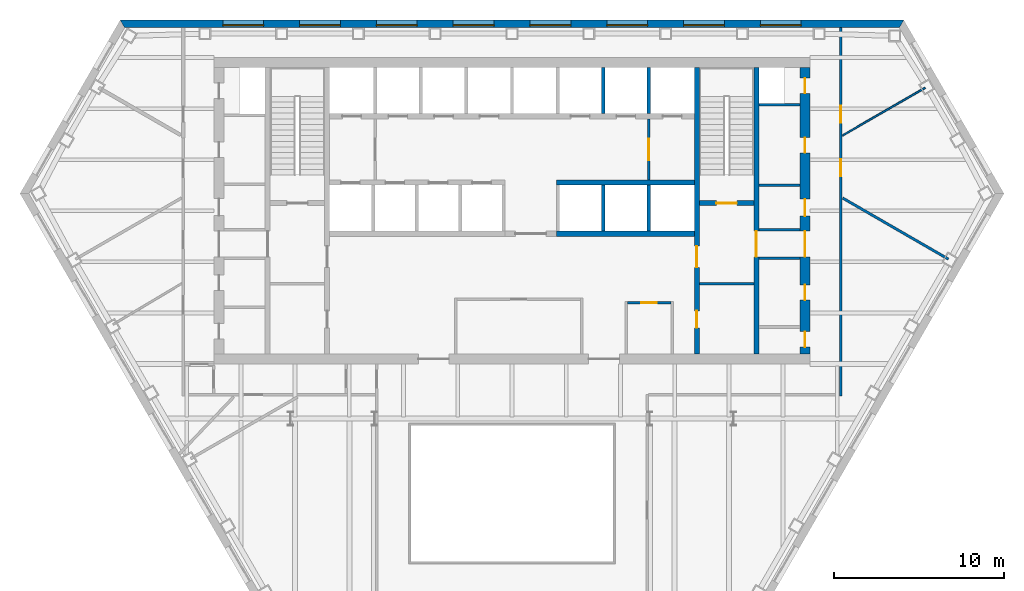
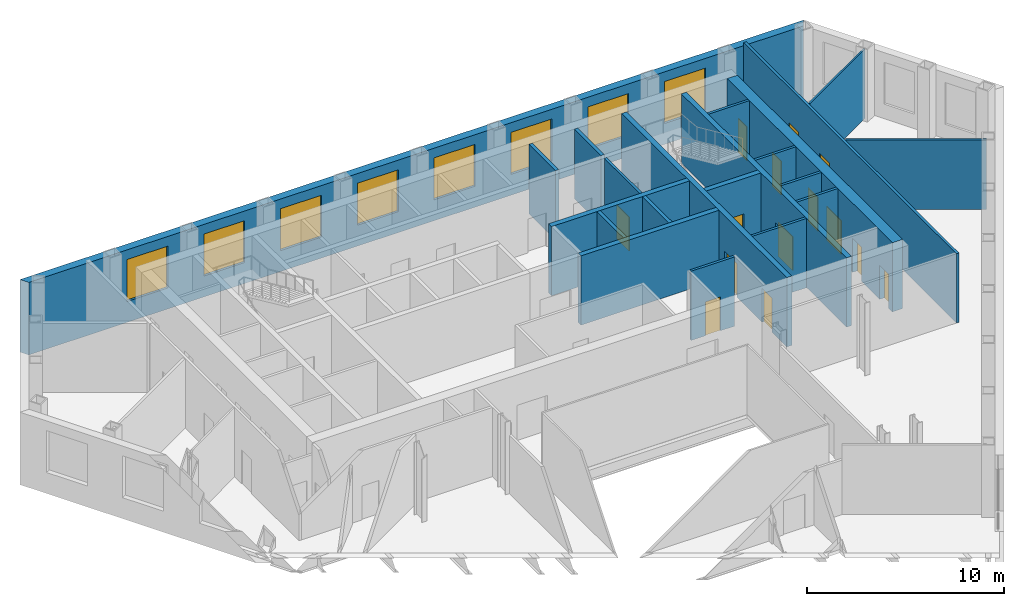
# One storey, part 7 of 11: 21 walls, 14 doors, 8 windows, 22 openings.
"""IFC4 building model written with IfcOpenShell, lengths in metres."""

from ifc_helpers import new_model, si_unit, direction, frame, frame_2d, origin, place, context, subcontext, project, spatial, polyline, rectangle, outline, extrude, material, layer, layer_set, type_object, element, fill, save


model = new_model("IFC4")

# Units and contexts
model_context = context("Model", 3, precision=1e-05, world=origin(), true_north=direction((0.0, 1.0)))
body_context = subcontext(model_context, "Body", "Model", "MODEL_VIEW")
ifc_project = project(units=[si_unit("LENGTHUNIT", "METRE"), si_unit("AREAUNIT", "SQUARE_METRE"), si_unit("VOLUMEUNIT", "CUBIC_METRE"), si_unit("PLANEANGLEUNIT", "RADIAN"), si_unit("MASSUNIT", "GRAM", prefix="KILO")], contexts=[model_context])

# Site, building, storey
site_placement = place(None, origin())
site = spatial("IfcSite", under=ifc_project, at=site_placement, CompositionType="ELEMENT")
building_placement = place(site_placement, origin())
building = spatial("IfcBuilding", under=site, at=building_placement, Name="Njiva Tower", CompositionType="ELEMENT")
storey_placement = place(building_placement, frame((0.0, 0.0, 37.8)))
storey = spatial("IfcBuildingStorey", under=building, at=storey_placement, Name="L07", CompositionType="ELEMENT", Elevation=37.8)

# Walls
ifc_material_1 = material(Name="Blockwork", Category="masonry")
ifc_layer_1 = layer(ifc_material_1, 0.15)
ifc_layer_set_1 = layer_set([ifc_layer_1], Name="Blockwork")
wall_type_1 = type_object("IfcWallType", Name="WT1 Compartment partition 150", PredefinedType="PARTITIONING", material=ifc_layer_set_1)
wall_1_placement = place(storey_placement, frame((11.0, 4.725, 0.0), z_axis=(0.0, 0.0, 1.0), x_axis=(1.0, 0.0, 0.0)))
element("IfcWall", 1, at=wall_1_placement, inside=storey, type_object=wall_type_1, Name="Room wall B", PredefinedType="PARTITIONING", context=body_context, shape_type="SweptSolid", body=[
    extrude(rectangle(XDim=3.2, YDim=0.15, at=frame_2d((1.6, 0.0))), origin(), (0.0, 0.0, 1.0), 4.3),
])
wall_2_placement = place(storey_placement, frame((14.5, 10.4885, 0.0), z_axis=(0.0, 0.0, 1.0), x_axis=(1.0, 0.0, 0.0)))
element("IfcWall", 2, at=wall_2_placement, inside=storey, type_object=wall_type_1, Name="Partition strip E10", PredefinedType="PARTITIONING", context=body_context, shape_type="SweptSolid", body=[
    extrude(rectangle(XDim=2.4, YDim=0.15, at=frame_2d((1.2, 0.0))), origin(), (0.0, 0.0, 1.0), 4.3),
])

# Wall, opening, door
wall_3_placement = place(storey_placement, frame((6.775, 3.6, 0.0), z_axis=(0.0, 0.0, 1.0), x_axis=(1.0, 0.0, 0.0)))
wall_3 = element("IfcWall", 3, at=wall_3_placement, inside=storey, type_object=wall_type_1, Name="Tenant reception wall north", PredefinedType="PARTITIONING", context=body_context, shape_type="SweptSolid", body=[
    extrude(rectangle(XDim=2.55, YDim=0.15, at=frame_2d((1.275, 0.0))), origin(), (0.0, 0.0, 1.0), 4.3),
])
opening_1_placement = place(wall_3_placement, frame((0.825, 0.0, 0.0)))
opening_1 = element("IfcOpeningElement", 4, at=opening_1_placement, cuts=wall_3, Name="Opening S02-D935", PredefinedType="OPENING", context=body_context, shape_type="SweptSolid", body=[
    extrude(rectangle(XDim=0.9, YDim=2.1, at=frame_2d((0.45, 1.05))), frame((0.0, 0.085, 0.0), z_axis=(0.0, -1.0, 0.0), x_axis=(1.0, 0.0, 0.0)), (0.0, 0.0, 1.0), 0.17),
])
ifc_material_2 = material(Name="Steel fire door, painted", Category="steel")
door_type_1 = type_object("IfcDoorType", Name="D6 Fire-rated door 900x2100", OperationType="SINGLE_SWING_LEFT", PredefinedType="DOOR", material=ifc_material_2)
door_1_placement = place(opening_1_placement, origin())
door_1 = element("IfcDoor", 5, at=door_1_placement, inside=storey, type_object=door_type_1, Name="Tenant reception door", OperationType="SINGLE_SWING_RIGHT", OverallHeight=2.1, OverallWidth=0.9, PredefinedType="DOOR", context=body_context, shape_type="SweptSolid", body=[
    extrude(rectangle(XDim=0.9, YDim=2.1, at=frame_2d((0.45, 1.05))), frame((0.0, 0.025, 0.0), z_axis=(0.0, -1.0, 0.0), x_axis=(1.0, 0.0, 0.0)), (0.0, 0.0, 1.0), 0.05),
])
fill(opening_1, door_1)

# Wall, openings, doors
ifc_material_3 = material(Name="Concrete C40/50", Category="concrete")
ifc_layer_2 = layer(ifc_material_3, 0.3)
ifc_layer_set_2 = layer_set([ifc_layer_2], Name="Concrete C40/50")
wall_type_2 = type_object("IfcWallType", Name="WT10 Stair enclosure wall 300", PredefinedType="SHEAR", material=ifc_layer_set_2)
wall_4_placement = place(storey_placement, frame((10.85, 0.6, 0.0), z_axis=(0.0, 0.0, 1.0), x_axis=(0.0, 1.0, 0.0)))
wall_4 = element("IfcWall", 6, at=wall_4_placement, inside=storey, type_object=wall_type_2, Name="Stair wall east inner", PredefinedType="SHEAR", context=body_context, shape_type="SweptSolid", body=[
    extrude(rectangle(XDim=16.8, YDim=0.3, at=frame_2d((8.4, 0.0))), origin(), (0.0, 0.0, 1.0), 4.3),
])
opening_2_placement = place(wall_4_placement, frame((5.075, 0.0, 0.0)))
opening_2 = element("IfcOpeningElement", 7, at=opening_2_placement, cuts=wall_4, Name="Opening S02-D918", PredefinedType="OPENING", context=body_context, shape_type="SweptSolid", body=[
    extrude(rectangle(XDim=1.25, YDim=2.1, at=frame_2d((0.625, 1.05))), frame((0.0, 0.16, 0.0), z_axis=(0.0, -1.0, 0.0), x_axis=(1.0, 0.0, 0.0)), (0.0, 0.0, 1.0), 0.32),
])
opening_3_placement = place(wall_4_placement, frame((1.525, 0.0, 0.0)))
opening_3 = element("IfcOpeningElement", 8, at=opening_3_placement, cuts=wall_4, Name="Opening S02-D919", PredefinedType="OPENING", context=body_context, shape_type="SweptSolid", body=[
    extrude(rectangle(XDim=1.0, YDim=2.1, at=frame_2d((0.5, 1.05))), frame((0.0, 0.16, 0.0), z_axis=(0.0, -1.0, 0.0), x_axis=(1.0, 0.0, 0.0)), (0.0, 0.0, 1.0), 0.32),
])
ifc_material_4 = material(Name="Steel door, painted", Category="steel")
door_type_2 = type_object("IfcDoorType", Name="D5 Steel door 1000x2100", OperationType="SINGLE_SWING_LEFT", PredefinedType="DOOR", material=ifc_material_4)
door_2_placement = place(opening_3_placement, origin())
door_2 = element("IfcDoor", 9, at=door_2_placement, inside=storey, type_object=door_type_2, Name="Prayer room door", OperationType="SINGLE_SWING_LEFT", OverallHeight=2.1, OverallWidth=1.0, PredefinedType="DOOR", context=body_context, shape_type="SweptSolid", body=[
    extrude(rectangle(XDim=1.0, YDim=2.1, at=frame_2d((0.5, 1.05))), frame((0.0, 0.025, 0.0), z_axis=(0.0, -1.0, 0.0), x_axis=(1.0, 0.0, 0.0)), (0.0, 0.0, 1.0), 0.05),
])
fill(opening_3, door_2)
ifc_material_5 = material(Name="Glazed steel fire door", Category="steel")
door_type_3 = type_object("IfcDoorType", Name="D8 Vestibule corridor door 1250x2100 glazed", OperationType="SINGLE_SWING_LEFT", PredefinedType="DOOR", material=ifc_material_5)
door_3_placement = place(opening_2_placement, origin())
door_3 = element("IfcDoor", 10, at=door_3_placement, inside=storey, type_object=door_type_3, Name="Stair vestibule corridor door", OperationType="SINGLE_SWING_RIGHT", OverallHeight=2.1, OverallWidth=1.25, PredefinedType="DOOR", context=body_context, shape_type="SweptSolid", body=[
    extrude(rectangle(XDim=1.25, YDim=2.1, at=frame_2d((0.625, 1.05))), frame((0.0, 0.025, 0.0), z_axis=(0.0, -1.0, 0.0), x_axis=(1.0, 0.0, 0.0)), (0.0, 0.0, 1.0), 0.05),
])
fill(opening_2, door_3)

# Wall, opening, door
wall_5_placement = place(storey_placement, frame((14.35, 0.6, 0.0), z_axis=(0.0, 0.0, 1.0), x_axis=(0.0, 1.0, 0.0)))
wall_5 = element("IfcWall", 11, at=wall_5_placement, inside=storey, type_object=wall_type_2, Name="Stair wall east outer", PredefinedType="SHEAR", context=body_context, shape_type="SweptSolid", body=[
    extrude(rectangle(XDim=16.8, YDim=0.3, at=frame_2d((8.4, 0.0))), origin(), (0.0, 0.0, 1.0), 4.3),
])
opening_4_placement = place(wall_5_placement, frame((5.7, 0.0, 0.0)))
opening_4 = element("IfcOpeningElement", 12, at=opening_4_placement, cuts=wall_5, Name="Opening S02-D927", PredefinedType="OPENING", context=body_context, shape_type="SweptSolid", body=[
    extrude(rectangle(XDim=1.5, YDim=2.1, at=frame_2d((0.75, 1.05))), frame((0.0, 0.16, 0.0), z_axis=(0.0, -1.0, 0.0), x_axis=(1.0, 0.0, 0.0)), (0.0, 0.0, 1.0), 0.32),
])
door_type_4 = type_object("IfcDoorType", Name="D10 Exit door double 1500x2100 glazed", OperationType="DOUBLE_DOOR_SINGLE_SWING", PredefinedType="DOOR", material=ifc_material_5)
door_4_placement = place(opening_4_placement, origin())
door_4 = element("IfcDoor", 13, at=door_4_placement, inside=storey, type_object=door_type_4, Name="Stair B passage door", OperationType="DOUBLE_DOOR_SINGLE_SWING", OverallHeight=2.1, OverallWidth=1.5, PredefinedType="DOOR", context=body_context, shape_type="SweptSolid", body=[
    extrude(rectangle(XDim=1.5, YDim=2.1, at=frame_2d((0.75, 1.05))), frame((0.0, 0.025, 0.0), z_axis=(0.0, -1.0, 0.0), x_axis=(1.0, 0.0, 0.0)), (0.0, 0.0, 1.0), 0.05),
])
fill(opening_4, door_4)

wall_6_placement = place(storey_placement, frame((11.0, 9.45, 0.0), z_axis=(0.0, 0.0, 1.0), x_axis=(1.0, 0.0, 0.0)))
wall_6 = element("IfcWall", 14, at=wall_6_placement, inside=storey, type_object=wall_type_2, Name="Stair B south wall", PredefinedType="SHEAR", context=body_context, shape_type="SweptSolid", body=[
    extrude(rectangle(XDim=3.2, YDim=0.3, at=frame_2d((1.6, 0.0))), origin(), (0.0, 0.0, 1.0), 4.3),
])
opening_5_placement = place(wall_6_placement, frame((1.0, 0.0, 0.0)))
opening_5 = element("IfcOpeningElement", 15, at=opening_5_placement, cuts=wall_6, Name="Opening S02-D917", PredefinedType="OPENING", context=body_context, shape_type="SweptSolid", body=[
    extrude(rectangle(XDim=1.2, YDim=2.1, at=frame_2d((0.6, 1.05))), frame((0.0, 0.16, 0.0), z_axis=(0.0, -1.0, 0.0), x_axis=(1.0, 0.0, 0.0)), (0.0, 0.0, 1.0), 0.32),
])
door_type_5 = type_object("IfcDoorType", Name="D7 Stair vestibule door 1200x2100 glazed", OperationType="SINGLE_SWING_LEFT", PredefinedType="DOOR", material=ifc_material_5)
door_5_placement = place(opening_5_placement, origin())
door_5 = element("IfcDoor", 16, at=door_5_placement, inside=storey, type_object=door_type_5, Name="Stair B door", OperationType="SINGLE_SWING_LEFT", OverallHeight=2.1, OverallWidth=1.2, PredefinedType="DOOR", context=body_context, shape_type="SweptSolid", body=[
    extrude(rectangle(XDim=1.2, YDim=2.1, at=frame_2d((0.6, 1.05))), frame((0.0, 0.025, 0.0), z_axis=(0.0, -1.0, 0.0), x_axis=(1.0, 0.0, 0.0)), (0.0, 0.0, 1.0), 0.05),
])
fill(opening_5, door_5)

# Wall, openings, doors
ifc_material_6 = material(Name="Concrete C60/75", Category="concrete")
ifc_layer_3 = layer(ifc_material_6, 0.6)
ifc_layer_set_3 = layer_set([ifc_layer_3], Name="Concrete C60/75")
wall_type_3 = type_object("IfcWallType", Name="WT15 Core wall 600", PredefinedType="SHEAR", material=ifc_layer_set_3)
wall_7_placement = place(storey_placement, frame((17.2, 0.6, 0.0), z_axis=(0.0, 0.0, 1.0), x_axis=(0.0, 1.0, 0.0)))
wall_7 = element("IfcWall", 17, at=wall_7_placement, inside=storey, type_object=wall_type_3, Name="Core wall east", PredefinedType="SHEAR", context=body_context, shape_type="SweptSolid", body=[
    extrude(rectangle(XDim=16.8, YDim=0.6, at=frame_2d((8.4, 0.0))), origin(), (0.0, 0.0, 1.0), 4.3),
])
opening_6_placement = place(wall_7_placement, frame((5.7, 0.0, 0.0)))
opening_6 = element("IfcOpeningElement", 18, at=opening_6_placement, cuts=wall_7, Name="Opening S02-D928", PredefinedType="OPENING", context=body_context, shape_type="SweptSolid", body=[
    extrude(rectangle(XDim=1.5, YDim=2.1, at=frame_2d((0.75, 1.05))), frame((0.0, 0.31, 0.0), z_axis=(0.0, -1.0, 0.0), x_axis=(1.0, 0.0, 0.0)), (0.0, 0.0, 1.0), 0.62),
])
opening_7_placement = place(wall_7_placement, frame((0.4, 0.0, 0.0)))
opening_7 = element("IfcOpeningElement", 19, at=opening_7_placement, cuts=wall_7, Name="Opening S02-D929", PredefinedType="OPENING", context=body_context, shape_type="SweptSolid", body=[
    extrude(rectangle(XDim=0.9, YDim=2.1, at=frame_2d((0.45, 1.05))), frame((0.0, 0.31, 0.0), z_axis=(0.0, -1.0, 0.0), x_axis=(1.0, 0.0, 0.0)), (0.0, 0.0, 1.0), 0.62),
])
opening_8_placement = place(wall_7_placement, frame((3.15, 0.0, 0.0)))
opening_8 = element("IfcOpeningElement", 20, at=opening_8_placement, cuts=wall_7, Name="Opening S02-D930", PredefinedType="OPENING", context=body_context, shape_type="SweptSolid", body=[
    extrude(rectangle(XDim=0.9, YDim=2.1, at=frame_2d((0.45, 1.05))), frame((0.0, 0.31, 0.0), z_axis=(0.0, -1.0, 0.0), x_axis=(1.0, 0.0, 0.0)), (0.0, 0.0, 1.0), 0.62),
])
opening_9_placement = place(wall_7_placement, frame((8.0817, 0.0, 0.0)))
opening_9 = element("IfcOpeningElement", 21, at=opening_9_placement, cuts=wall_7, Name="Opening S02-D931", PredefinedType="OPENING", context=body_context, shape_type="SweptSolid", body=[
    extrude(rectangle(XDim=1.0, YDim=2.1, at=frame_2d((0.5, 1.05))), frame((0.0, 0.31, 0.0), z_axis=(0.0, -1.0, 0.0), x_axis=(1.0, 0.0, 0.0)), (0.0, 0.0, 1.0), 0.62),
])
opening_10_placement = place(wall_7_placement, frame((11.801, 0.0, 0.0)))
opening_10 = element("IfcOpeningElement", 22, at=opening_10_placement, cuts=wall_7, Name="Opening S02-D932", PredefinedType="OPENING", context=body_context, shape_type="SweptSolid", body=[
    extrude(rectangle(XDim=0.9, YDim=2.1, at=frame_2d((0.45, 1.05))), frame((0.0, 0.31, 0.0), z_axis=(0.0, -1.0, 0.0), x_axis=(1.0, 0.0, 0.0)), (0.0, 0.0, 1.0), 0.62),
])
opening_11_placement = place(wall_7_placement, frame((15.2942, 0.0, 0.0)))
opening_11 = element("IfcOpeningElement", 23, at=opening_11_placement, cuts=wall_7, Name="Opening S02-D933", PredefinedType="OPENING", context=body_context, shape_type="SweptSolid", body=[
    extrude(rectangle(XDim=0.9, YDim=2.1, at=frame_2d((0.45, 1.05))), frame((0.0, 0.31, 0.0), z_axis=(0.0, -1.0, 0.0), x_axis=(1.0, 0.0, 0.0)), (0.0, 0.0, 1.0), 0.62),
])
door_6_placement = place(opening_6_placement, origin())
door_6 = element("IfcDoor", 24, at=door_6_placement, inside=storey, type_object=door_type_4, Name="Stair B corridor door", OperationType="DOUBLE_DOOR_SINGLE_SWING", OverallHeight=2.1, OverallWidth=1.5, PredefinedType="DOOR", context=body_context, shape_type="SweptSolid", body=[
    extrude(rectangle(XDim=1.5, YDim=2.1, at=frame_2d((0.75, 1.05))), frame((0.0, 0.025, 0.0), z_axis=(0.0, -1.0, 0.0), x_axis=(1.0, 0.0, 0.0)), (0.0, 0.0, 1.0), 0.05),
])
fill(opening_6, door_6)
door_type_6 = type_object("IfcDoorType", Name="D4 Riser door 900x2100", OperationType="SINGLE_SWING_LEFT", PredefinedType="DOOR", material=ifc_material_4)
door_7_placement = place(opening_11_placement, origin())
door_7 = element("IfcDoor", 25, at=door_7_placement, inside=storey, type_object=door_type_6, Name="Riser door", OperationType="SINGLE_SWING_RIGHT", OverallHeight=2.1, OverallWidth=0.9, PredefinedType="DOOR", context=body_context, shape_type="SweptSolid", body=[
    extrude(rectangle(XDim=0.9, YDim=2.1, at=frame_2d((0.45, 1.05))), frame((0.0, 0.025, 0.0), z_axis=(0.0, -1.0, 0.0), x_axis=(1.0, 0.0, 0.0)), (0.0, 0.0, 1.0), 0.05),
])
fill(opening_11, door_7)
door_8_placement = place(opening_9_placement, origin())
door_8 = element("IfcDoor", 26, at=door_8_placement, inside=storey, type_object=door_type_2, Name="Electrical room door", OperationType="SINGLE_SWING_LEFT", OverallHeight=2.1, OverallWidth=1.0, PredefinedType="DOOR", context=body_context, shape_type="SweptSolid", body=[
    extrude(rectangle(XDim=1.0, YDim=2.1, at=frame_2d((0.5, 1.05))), frame((0.0, 0.025, 0.0), z_axis=(0.0, -1.0, 0.0), x_axis=(1.0, 0.0, 0.0)), (0.0, 0.0, 1.0), 0.05),
])
fill(opening_9, door_8)
door_9_placement = place(opening_7_placement, origin())
door_9 = element("IfcDoor", 27, at=door_9_placement, inside=storey, type_object=door_type_1, Name="Cleaner's store door", OperationType="SINGLE_SWING_RIGHT", OverallHeight=2.1, OverallWidth=0.9, PredefinedType="DOOR", context=body_context, shape_type="SweptSolid", body=[
    extrude(rectangle(XDim=0.9, YDim=2.1, at=frame_2d((0.45, 1.05))), frame((0.0, 0.025, 0.0), z_axis=(0.0, -1.0, 0.0), x_axis=(1.0, 0.0, 0.0)), (0.0, 0.0, 1.0), 0.05),
])
fill(opening_7, door_9)
door_10_placement = place(opening_8_placement, origin())
door_10 = element("IfcDoor", 28, at=door_10_placement, inside=storey, type_object=door_type_1, Name="Reading room door", OperationType="SINGLE_SWING_RIGHT", OverallHeight=2.1, OverallWidth=0.9, PredefinedType="DOOR", context=body_context, shape_type="SweptSolid", body=[
    extrude(rectangle(XDim=0.9, YDim=2.1, at=frame_2d((0.45, 1.05))), frame((0.0, 0.025, 0.0), z_axis=(0.0, -1.0, 0.0), x_axis=(1.0, 0.0, 0.0)), (0.0, 0.0, 1.0), 0.05),
])
fill(opening_8, door_10)
door_11_placement = place(opening_10_placement, origin())
door_11 = element("IfcDoor", 29, at=door_11_placement, inside=storey, type_object=door_type_1, Name="Prayer room door", OperationType="SINGLE_SWING_LEFT", OverallHeight=2.1, OverallWidth=0.9, PredefinedType="DOOR", context=body_context, shape_type="SweptSolid", body=[
    extrude(rectangle(XDim=0.9, YDim=2.1, at=frame_2d((0.45, 1.05))), frame((0.0, 0.025, 0.0), z_axis=(0.0, -1.0, 0.0), x_axis=(1.0, 0.0, 0.0)), (0.0, 0.0, 1.0), 0.05),
])
fill(opening_10, door_11)

# Wall, opening, door
ifc_layer_4 = layer(ifc_material_1, 0.15)
ifc_layer_set_4 = layer_set([ifc_layer_4], Name="Blockwork")
wall_type_4 = type_object("IfcWallType", Name="WT2 Lobby partition 150", PredefinedType="PARTITIONING", material=ifc_layer_set_4)
wall_8_placement = place(storey_placement, frame((8.025, 10.8, 0.0), z_axis=(0.0, 0.0, 1.0), x_axis=(0.0, 1.0, 0.0)))
wall_8 = element("IfcWall", 30, at=wall_8_placement, inside=storey, type_object=wall_type_4, Name="Firefighting lobby wall B", PredefinedType="PARTITIONING", context=body_context, shape_type="SweptSolid", body=[
    extrude(rectangle(XDim=3.6, YDim=0.15, at=frame_2d((1.8, 0.0))), origin(), (0.0, 0.0, 1.0), 4.3),
])
opening_12_placement = place(wall_8_placement, frame((1.175, 0.0, 0.0)))
opening_12 = element("IfcOpeningElement", 31, at=opening_12_placement, cuts=wall_8, Name="Opening S02-D916", PredefinedType="OPENING", context=body_context, shape_type="SweptSolid", body=[
    extrude(rectangle(XDim=1.25, YDim=2.1, at=frame_2d((0.625, 1.05))), frame((0.0, 0.085, 0.0), z_axis=(0.0, -1.0, 0.0), x_axis=(1.0, 0.0, 0.0)), (0.0, 0.0, 1.0), 0.17),
])
door_12_placement = place(opening_12_placement, origin())
door_12 = element("IfcDoor", 32, at=door_12_placement, inside=storey, type_object=door_type_3, Name="Stair vestibule corridor door", OperationType="SINGLE_SWING_LEFT", OverallHeight=2.1, OverallWidth=1.25, PredefinedType="DOOR", context=body_context, shape_type="SweptSolid", body=[
    extrude(rectangle(XDim=1.25, YDim=2.1, at=frame_2d((0.625, 1.05))), frame((0.0, 0.025, 0.0), z_axis=(0.0, -1.0, 0.0), x_axis=(1.0, 0.0, 0.0)), (0.0, 0.0, 1.0), 0.05),
])
fill(opening_12, door_12)

# Wall
ifc_material_7 = material(Name="Gypsum board on steel studs", Category="gypsum")
ifc_layer_5 = layer(ifc_material_7, 0.1)
ifc_layer_set_5 = layer_set([ifc_layer_5], Name="Gypsum board on steel studs")
wall_type_5 = type_object("IfcWallType", Name="WT20 Gypsum partition 100", PredefinedType="PARTITIONING", material=ifc_layer_set_5)
wall_9_placement = place(storey_placement, frame((19.401, 13.416, 0.0), z_axis=(0.0, 0.0, 1.0), x_axis=(0.866108468144, 0.499856100702, 0.0)))
element("IfcWall", 33, at=wall_9_placement, inside=storey, type_object=wall_type_5, Name="Partition S02-P020", PredefinedType="PARTITIONING", context=body_context, shape_type="SweptSolid", body=[
    extrude(rectangle(XDim=5.6136, YDim=0.1, at=frame_2d((2.8068, 0.0))), origin(), (0.0, 0.0, 1.0), 4.3),
])

# Wall, openings, doors
ifc_layer_6 = layer(ifc_material_7, 0.15)
ifc_layer_set_6 = layer_set([ifc_layer_6], Name="Gypsum board on steel studs")
wall_type_6 = type_object("IfcWallType", Name="WT21 Compartment wall 150", PredefinedType="PARTITIONING", material=ifc_layer_set_6)
wall_10_placement = place(storey_placement, frame((19.3, -1.875, 0.0), z_axis=(0.0, 0.0, 1.0), x_axis=(4.6242775e-05, 0.999999998931, 0.0)))
wall_10 = element("IfcWall", 34, at=wall_10_placement, inside=storey, type_object=wall_type_6, Name="Partition S02-P019", PredefinedType="PARTITIONING", context=body_context, shape_type="SweptSolid", body=[
    extrude(rectangle(XDim=21.625, YDim=0.15, at=frame_2d((10.8125, 0.0))), origin(), (0.0, 0.0, 1.0), 4.3),
])
opening_13_placement = place(wall_10_placement, frame((12.908, 0.0, 0.0)))
opening_13 = element("IfcOpeningElement", 35, at=opening_13_placement, cuts=wall_10, Name="Opening S02-D012", PredefinedType="OPENING", context=body_context, shape_type="SweptSolid", body=[
    extrude(rectangle(XDim=1.0, YDim=2.1, at=frame_2d((0.5, 1.05))), frame((0.0, 0.085, 0.0), z_axis=(0.0, -1.0, 0.0), x_axis=(1.0, 0.0, 0.0)), (0.0, 0.0, 1.0), 0.17),
])
opening_14_placement = place(wall_10_placement, frame((16.038, 0.0, 0.0)))
opening_14 = element("IfcOpeningElement", 36, at=opening_14_placement, cuts=wall_10, Name="Opening S02-D013", PredefinedType="OPENING", context=body_context, shape_type="SweptSolid", body=[
    extrude(rectangle(XDim=1.0, YDim=2.1, at=frame_2d((0.5, 1.05))), frame((0.0, 0.085, 0.0), z_axis=(0.0, -1.0, 0.0), x_axis=(1.0, 0.0, 0.0)), (0.0, 0.0, 1.0), 0.17),
])
ifc_material_8 = material(Name="Steel fire door set", Category="steel")
door_type_7 = type_object("IfcDoorType", Name="D37 Fire door 1000x2100", OperationType="SINGLE_SWING_LEFT", PredefinedType="DOOR", material=ifc_material_8)
door_13_placement = place(opening_13_placement, origin())
door_13 = element("IfcDoor", 37, at=door_13_placement, inside=storey, type_object=door_type_7, Name="Door S02-D012", OperationType="SINGLE_SWING_RIGHT", OverallHeight=2.1, OverallWidth=1.0, PredefinedType="DOOR", context=body_context, shape_type="SweptSolid", body=[
    extrude(rectangle(XDim=1.0, YDim=2.1, at=frame_2d((0.5, 1.05))), frame((0.0, 0.025, 0.0), z_axis=(0.0, -1.0, 0.0), x_axis=(1.0, 0.0, 0.0)), (0.0, 0.0, 1.0), 0.05),
])
fill(opening_13, door_13)
door_14_placement = place(opening_14_placement, origin())
door_14 = element("IfcDoor", 38, at=door_14_placement, inside=storey, type_object=door_type_7, Name="Door S02-D013", OperationType="SINGLE_SWING_RIGHT", OverallHeight=2.1, OverallWidth=1.0, PredefinedType="DOOR", context=body_context, shape_type="SweptSolid", body=[
    extrude(rectangle(XDim=1.0, YDim=2.1, at=frame_2d((0.5, 1.05))), frame((0.0, 0.025, 0.0), z_axis=(0.0, -1.0, 0.0), x_axis=(1.0, 0.0, 0.0)), (0.0, 0.0, 1.0), 0.05),
])
fill(opening_14, door_14)

# Walls
wall_11_placement = place(storey_placement, frame((19.413, 9.746, 0.0), z_axis=(0.0, 0.0, 1.0), x_axis=(0.865976502062, -0.500084690704, 0.0)))
element("IfcWall", 39, at=wall_11_placement, inside=storey, type_object=wall_type_6, Name="Partition S02-P021", PredefinedType="PARTITIONING", context=body_context, shape_type="SweptSolid", body=[
    extrude(rectangle(XDim=7.1688, YDim=0.15, at=frame_2d((3.5844, 0.0))), origin(), (0.0, 0.0, 1.0), 4.3),
])
ifc_layer_7 = layer(ifc_material_1, 0.15)
ifc_layer_set_7 = layer_set([ifc_layer_7], Name="Blockwork")
wall_type_7 = type_object("IfcWallType", Name="WT3 Riser partition 150", PredefinedType="PARTITIONING", material=ifc_layer_set_7)
wall_12_placement = place(storey_placement, frame((14.5, 15.2135, 0.0), z_axis=(0.0, 0.0, 1.0), x_axis=(1.0, 0.0, 0.0)))
element("IfcWall", 40, at=wall_12_placement, inside=storey, type_object=wall_type_7, Name="Partition strip E11", PredefinedType="PARTITIONING", context=body_context, shape_type="SweptSolid", body=[
    extrude(rectangle(XDim=2.4, YDim=0.15, at=frame_2d((1.2, 0.0))), origin(), (0.0, 0.0, 1.0), 4.3),
])
ifc_layer_8 = layer(ifc_material_1, 0.15)
ifc_layer_set_8 = layer_set([ifc_layer_8], Name="Blockwork")
wall_type_8 = type_object("IfcWallType", Name="WT4 Stair partition 150", PredefinedType="PARTITIONING", material=ifc_layer_set_8)
for number, where, z_axis, x_axis, name in (
    (41, (14.5, 6.225, 0.0), (0.0, 0.0, 1.0), (1.0, 0.0, 0.0), "Stair B exit passage wall south"),
    (42, (14.5, 7.875, 0.0), (0.0, 0.0, 1.0), (1.0, 0.0, 0.0), "Stair B exit passage wall north"),
):
    element("IfcWall", number, at=place(storey_placement, frame(where, z_axis=z_axis, x_axis=x_axis)), inside=storey, type_object=wall_type_8, Name=name, PredefinedType="PARTITIONING", context=body_context, shape_type="SweptSolid", body=[
        extrude(rectangle(XDim=2.4, YDim=0.15, at=frame_2d((1.2, 0.0))), origin(), (0.0, 0.0, 1.0), 4.3),
    ])
ifc_layer_9 = layer(ifc_material_3, 0.2)
ifc_layer_set_9 = layer_set([ifc_layer_9], Name="Concrete C40/50")
wall_type_9 = type_object("IfcWallType", Name="WT6 Lift shaft wall 200", PredefinedType="SHEAR", material=ifc_layer_set_9)
for number, where, z_axis, x_axis, name in (
    (43, (5.35, 14.7, 0.0), (0.0, 0.0, 1.0), (0.0, 1.0, 0.0), "Shaft wall CN6"),
    (44, (8.025, 14.7, 0.0), (0.0, 0.0, 1.0), (0.0, 1.0, 0.0), "Shaft wall CN7"),
    (45, (5.3667, 7.8, 0.0), (0.0, 0.0, 1.0), (0.0, 1.0, 0.0), "Shaft wall CS6"),
    (46, (8.0333, 7.8, 0.0), (0.0, 0.0, 1.0), (0.0, 1.0, 0.0), "Shaft wall CS7"),
):
    element("IfcWall", number, at=place(storey_placement, frame(where, z_axis=z_axis, x_axis=x_axis)), inside=storey, type_object=wall_type_9, Name=name, PredefinedType="SHEAR", context=body_context, shape_type="SweptSolid", body=[
        extrude(rectangle(XDim=2.7, YDim=0.2, at=frame_2d((1.35, 0.0))), origin(), (0.0, 0.0, 1.0), 4.3),
    ])
ifc_layer_10 = layer(ifc_material_3, 0.3)
ifc_layer_set_10 = layer_set([ifc_layer_10], Name="Concrete C40/50")
wall_type_10 = type_object("IfcWallType", Name="WT7 Lift shaft wall 300", PredefinedType="SHEAR", material=ifc_layer_set_10)
for number, where, z_axis, x_axis, name in (
    (47, (2.6, 10.65, 0.0), (0.0, 0.0, 1.0), (1.0, 0.0, 0.0), "Shaft wall south row lobby side E"),
    (48, (2.6, 7.65, 0.0), (0.0, 0.0, 1.0), (1.0, 0.0, 0.0), "Shaft wall south row back E"),
):
    element("IfcWall", number, at=place(storey_placement, frame(where, z_axis=z_axis, x_axis=x_axis)), inside=storey, type_object=wall_type_10, Name=name, PredefinedType="SHEAR", context=body_context, shape_type="SweptSolid", body=[
        extrude(rectangle(XDim=8.1, YDim=0.3, at=frame_2d((4.05, 0.0))), origin(), (0.0, 0.0, 1.0), 4.3),
    ])

# Wall, openings, windows
ifc_material_9 = material(Name="Brick masonry", Category="masonry")
ifc_layer_11 = layer(ifc_material_9, 0.45)
ifc_layer_set_11 = layer_set([ifc_layer_11], Name="Brick masonry")
wall_type_11 = type_object("IfcWallType", Name="WT90 Brick pier and spandrel wall 450", PredefinedType="SOLIDWALL", material=ifc_layer_set_11)
wall_13_placement = place(storey_placement, frame((22.8751, 19.975, -0.4), z_axis=(0.0, 0.0, 1.0), x_axis=(-1.0, 0.0, 0.0)))
wall_13 = element("IfcWall", 49, at=wall_13_placement, inside=storey, type_object=wall_type_11, Name="Facade wall N", PredefinedType="SOLIDWALL", context=body_context, shape_type="SweptSolid", body=[
    extrude(outline(polyline([(-0.1299, -0.225), (45.8801, -0.225), (45.6203, 0.225), (0.1299, 0.225), (-0.1299, -0.225)])), origin(), (0.0, 0.0, 1.0), 4.5),
])
opening_15_placement = place(wall_13_placement, frame((5.8949, 0.0, 1.3)))
opening_15 = element("IfcOpeningElement", 50, at=opening_15_placement, cuts=wall_13, Name="Opening S02-W01", PredefinedType="OPENING", context=body_context, shape_type="SweptSolid", body=[
    extrude(rectangle(XDim=2.4, YDim=2.6, at=frame_2d((1.2, 1.3))), frame((0.0, 0.235, 0.0), z_axis=(0.0, -1.0, 0.0), x_axis=(1.0, 0.0, 0.0)), (0.0, 0.0, 1.0), 0.47),
])
opening_16_placement = place(wall_13_placement, frame((10.4035, 0.0, 1.3)))
opening_16 = element("IfcOpeningElement", 51, at=opening_16_placement, cuts=wall_13, Name="Opening S02-W02", PredefinedType="OPENING", context=body_context, shape_type="SweptSolid", body=[
    extrude(rectangle(XDim=2.4, YDim=2.6, at=frame_2d((1.2, 1.3))), frame((0.0, 0.235, 0.0), z_axis=(0.0, -1.0, 0.0), x_axis=(1.0, 0.0, 0.0)), (0.0, 0.0, 1.0), 0.47),
])
opening_17_placement = place(wall_13_placement, frame((14.9122, 0.0, 1.3)))
opening_17 = element("IfcOpeningElement", 52, at=opening_17_placement, cuts=wall_13, Name="Opening S02-W03", PredefinedType="OPENING", context=body_context, shape_type="SweptSolid", body=[
    extrude(rectangle(XDim=2.4, YDim=2.6, at=frame_2d((1.2, 1.3))), frame((0.0, 0.235, 0.0), z_axis=(0.0, -1.0, 0.0), x_axis=(1.0, 0.0, 0.0)), (0.0, 0.0, 1.0), 0.47),
])
opening_18_placement = place(wall_13_placement, frame((19.4208, 0.0, 1.3)))
opening_18 = element("IfcOpeningElement", 53, at=opening_18_placement, cuts=wall_13, Name="Opening S02-W04", PredefinedType="OPENING", context=body_context, shape_type="SweptSolid", body=[
    extrude(rectangle(XDim=2.4, YDim=2.6, at=frame_2d((1.2, 1.3))), frame((0.0, 0.235, 0.0), z_axis=(0.0, -1.0, 0.0), x_axis=(1.0, 0.0, 0.0)), (0.0, 0.0, 1.0), 0.47),
])
opening_19_placement = place(wall_13_placement, frame((23.9294, 0.0, 1.3)))
opening_19 = element("IfcOpeningElement", 54, at=opening_19_placement, cuts=wall_13, Name="Opening S02-W05", PredefinedType="OPENING", context=body_context, shape_type="SweptSolid", body=[
    extrude(rectangle(XDim=2.4, YDim=2.6, at=frame_2d((1.2, 1.3))), frame((0.0, 0.235, 0.0), z_axis=(0.0, -1.0, 0.0), x_axis=(1.0, 0.0, 0.0)), (0.0, 0.0, 1.0), 0.47),
])
opening_20_placement = place(wall_13_placement, frame((28.438, 0.0, 1.3)))
opening_20 = element("IfcOpeningElement", 55, at=opening_20_placement, cuts=wall_13, Name="Opening S02-W06", PredefinedType="OPENING", context=body_context, shape_type="SweptSolid", body=[
    extrude(rectangle(XDim=2.4, YDim=2.6, at=frame_2d((1.2, 1.3))), frame((0.0, 0.235, 0.0), z_axis=(0.0, -1.0, 0.0), x_axis=(1.0, 0.0, 0.0)), (0.0, 0.0, 1.0), 0.47),
])
opening_21_placement = place(wall_13_placement, frame((32.9466, 0.0, 1.3)))
opening_21 = element("IfcOpeningElement", 56, at=opening_21_placement, cuts=wall_13, Name="Opening S02-W07", PredefinedType="OPENING", context=body_context, shape_type="SweptSolid", body=[
    extrude(rectangle(XDim=2.4, YDim=2.6, at=frame_2d((1.2, 1.3))), frame((0.0, 0.235, 0.0), z_axis=(0.0, -1.0, 0.0), x_axis=(1.0, 0.0, 0.0)), (0.0, 0.0, 1.0), 0.47),
])
opening_22_placement = place(wall_13_placement, frame((37.4553, 0.0, 1.3)))
opening_22 = element("IfcOpeningElement", 57, at=opening_22_placement, cuts=wall_13, Name="Opening S02-W08", PredefinedType="OPENING", context=body_context, shape_type="SweptSolid", body=[
    extrude(rectangle(XDim=2.4, YDim=2.6, at=frame_2d((1.2, 1.3))), frame((0.0, 0.235, 0.0), z_axis=(0.0, -1.0, 0.0), x_axis=(1.0, 0.0, 0.0)), (0.0, 0.0, 1.0), 0.47),
])
ifc_material_10 = material(Name="Clear glazing in aluminium frame", Category="aluminium")
window_type = type_object("IfcWindowType", Name="W92 Deep-set window 2400x2600", PartitioningType="SINGLE_PANEL", PredefinedType="WINDOW", material=ifc_material_10)
window_1_placement = place(opening_15_placement, origin())
window_1 = element("IfcWindow", 58, at=window_1_placement, inside=storey, type_object=window_type, Name="Window", OverallHeight=2.6, OverallWidth=2.4, PartitioningType="SINGLE_PANEL", PredefinedType="WINDOW", context=body_context, shape_type="SweptSolid", body=[
    extrude(rectangle(XDim=2.4, YDim=2.6, at=frame_2d((1.2, 1.3))), frame((0.0, 0.105, 0.0), z_axis=(0.0, -1.0, 0.0), x_axis=(1.0, 0.0, 0.0)), (0.0, 0.0, 1.0), 0.06),
])
fill(opening_15, window_1)
window_2_placement = place(opening_16_placement, origin())
window_2 = element("IfcWindow", 59, at=window_2_placement, inside=storey, type_object=window_type, Name="Window", OverallHeight=2.6, OverallWidth=2.4, PartitioningType="SINGLE_PANEL", PredefinedType="WINDOW", context=body_context, shape_type="SweptSolid", body=[
    extrude(rectangle(XDim=2.4, YDim=2.6, at=frame_2d((1.2, 1.3))), frame((0.0, 0.105, 0.0), z_axis=(0.0, -1.0, 0.0), x_axis=(1.0, 0.0, 0.0)), (0.0, 0.0, 1.0), 0.06),
])
fill(opening_16, window_2)
window_3_placement = place(opening_17_placement, origin())
window_3 = element("IfcWindow", 60, at=window_3_placement, inside=storey, type_object=window_type, Name="Window", OverallHeight=2.6, OverallWidth=2.4, PartitioningType="SINGLE_PANEL", PredefinedType="WINDOW", context=body_context, shape_type="SweptSolid", body=[
    extrude(rectangle(XDim=2.4, YDim=2.6, at=frame_2d((1.2, 1.3))), frame((0.0, 0.105, 0.0), z_axis=(0.0, -1.0, 0.0), x_axis=(1.0, 0.0, 0.0)), (0.0, 0.0, 1.0), 0.06),
])
fill(opening_17, window_3)
window_4_placement = place(opening_18_placement, origin())
window_4 = element("IfcWindow", 61, at=window_4_placement, inside=storey, type_object=window_type, Name="Window", OverallHeight=2.6, OverallWidth=2.4, PartitioningType="SINGLE_PANEL", PredefinedType="WINDOW", context=body_context, shape_type="SweptSolid", body=[
    extrude(rectangle(XDim=2.4, YDim=2.6, at=frame_2d((1.2, 1.3))), frame((0.0, 0.105, 0.0), z_axis=(0.0, -1.0, 0.0), x_axis=(1.0, 0.0, 0.0)), (0.0, 0.0, 1.0), 0.06),
])
fill(opening_18, window_4)
window_5_placement = place(opening_19_placement, origin())
window_5 = element("IfcWindow", 62, at=window_5_placement, inside=storey, type_object=window_type, Name="Window", OverallHeight=2.6, OverallWidth=2.4, PartitioningType="SINGLE_PANEL", PredefinedType="WINDOW", context=body_context, shape_type="SweptSolid", body=[
    extrude(rectangle(XDim=2.4, YDim=2.6, at=frame_2d((1.2, 1.3))), frame((0.0, 0.105, 0.0), z_axis=(0.0, -1.0, 0.0), x_axis=(1.0, 0.0, 0.0)), (0.0, 0.0, 1.0), 0.06),
])
fill(opening_19, window_5)
window_6_placement = place(opening_20_placement, origin())
window_6 = element("IfcWindow", 63, at=window_6_placement, inside=storey, type_object=window_type, Name="Window", OverallHeight=2.6, OverallWidth=2.4, PartitioningType="SINGLE_PANEL", PredefinedType="WINDOW", context=body_context, shape_type="SweptSolid", body=[
    extrude(rectangle(XDim=2.4, YDim=2.6, at=frame_2d((1.2, 1.3))), frame((0.0, 0.105, 0.0), z_axis=(0.0, -1.0, 0.0), x_axis=(1.0, 0.0, 0.0)), (0.0, 0.0, 1.0), 0.06),
])
fill(opening_20, window_6)
window_7_placement = place(opening_21_placement, origin())
window_7 = element("IfcWindow", 64, at=window_7_placement, inside=storey, type_object=window_type, Name="Window", OverallHeight=2.6, OverallWidth=2.4, PartitioningType="SINGLE_PANEL", PredefinedType="WINDOW", context=body_context, shape_type="SweptSolid", body=[
    extrude(rectangle(XDim=2.4, YDim=2.6, at=frame_2d((1.2, 1.3))), frame((0.0, 0.105, 0.0), z_axis=(0.0, -1.0, 0.0), x_axis=(1.0, 0.0, 0.0)), (0.0, 0.0, 1.0), 0.06),
])
fill(opening_21, window_7)
window_8_placement = place(opening_22_placement, origin())
window_8 = element("IfcWindow", 65, at=window_8_placement, inside=storey, type_object=window_type, Name="Window", OverallHeight=2.6, OverallWidth=2.4, PartitioningType="SINGLE_PANEL", PredefinedType="WINDOW", context=body_context, shape_type="SweptSolid", body=[
    extrude(rectangle(XDim=2.4, YDim=2.6, at=frame_2d((1.2, 1.3))), frame((0.0, 0.105, 0.0), z_axis=(0.0, -1.0, 0.0), x_axis=(1.0, 0.0, 0.0)), (0.0, 0.0, 1.0), 0.06),
])
fill(opening_22, window_8)

save(model, "model.ifc")
